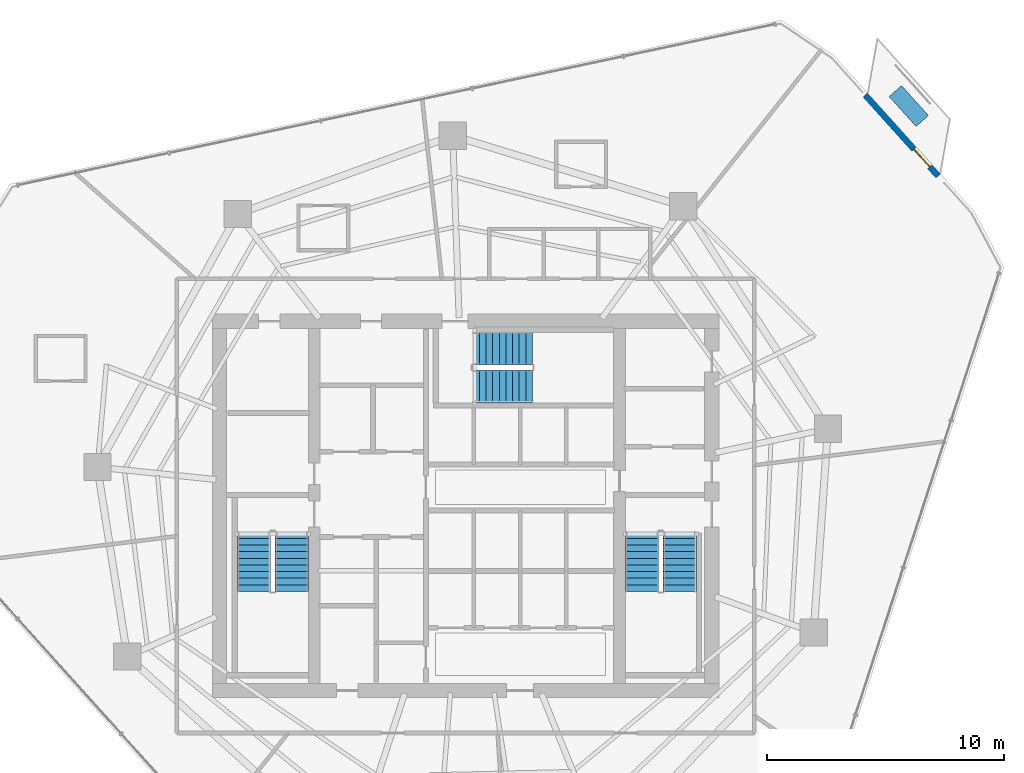
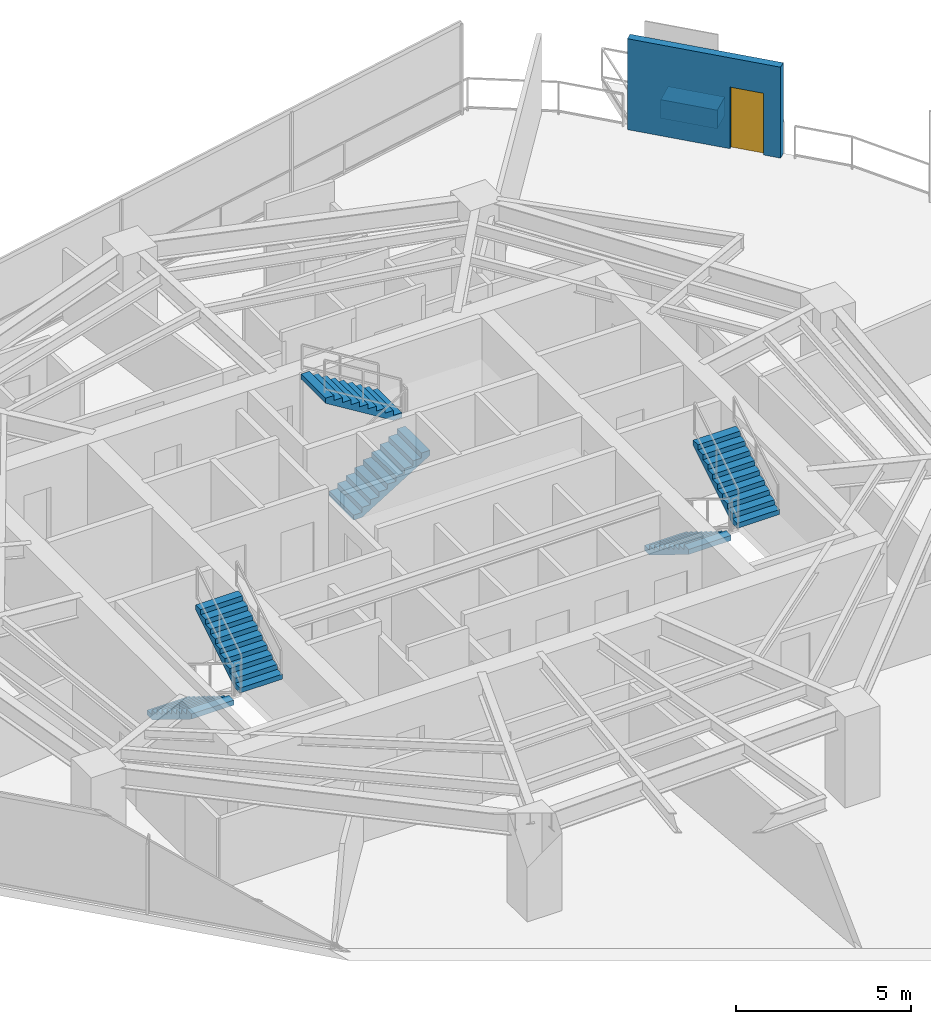
# One storey, part 25 of 27: 6 stair flights, 1 discrete accessory, 1 door, 1 wall, 1 opening, 3 elements without a shape of their own.
"""IFC4 building model written with IfcOpenShell, lengths in metres."""

from ifc_helpers import new_model, si_unit, direction, frame, frame_2d, origin, origin_2d, place, context, subcontext, project, spatial, polyline, rectangle, outline, extrude, material, layer, layer_set, type_object, element, fill, aggregate, save


model = new_model("IFC4")

# Units and contexts
model_context = context("Model", 3, precision=1e-05, world=origin(), true_north=direction((0.0, 1.0)))
body_context = subcontext(model_context, "Body", "Model", "MODEL_VIEW")
ifc_project = project(units=[si_unit("LENGTHUNIT", "METRE"), si_unit("AREAUNIT", "SQUARE_METRE"), si_unit("VOLUMEUNIT", "CUBIC_METRE"), si_unit("PLANEANGLEUNIT", "RADIAN"), si_unit("MASSUNIT", "GRAM", prefix="KILO")], contexts=[model_context])

# Site, building, storey
site_placement = place(None, origin())
site = spatial("IfcSite", under=ifc_project, at=site_placement, CompositionType="ELEMENT")
building_placement = place(site_placement, origin())
building = spatial("IfcBuilding", under=site, at=building_placement, Name="Qarnah Convention Tower", CompositionType="ELEMENT")
storey_placement = place(building_placement, frame((0.0, 0.0, 110.85009765625)))
storey = spatial("IfcBuildingStorey", under=building, at=storey_placement, Name="L29", CompositionType="ELEMENT", Elevation=110.85009765625)

# Wall, opening, door
ifc_material_1 = material(Name="Precast concrete C45/55", Category="concrete")
ifc_layer = layer(ifc_material_1, 0.239990234375)
ifc_layer_set = layer_set([ifc_layer], Name="Precast concrete C45/55")
wall_type = type_object("IfcWallType", Name="WL-EXT-BAL-240", PredefinedType="SOLIDWALL", material=ifc_layer_set)
wall_placement = place(storey_placement, frame((54.0849609375, 43.756103515625, 0.0), z_axis=(0.0, 0.0, 1.0), x_axis=(0.669172901159, -0.743106740889, 0.0)))
wall = element("IfcWall", 1, at=wall_placement, inside=storey, type_object=wall_type, Name="L29 loggia threshold wall BAL-L29-C1", PredefinedType="SOLIDWALL", context=body_context, shape_type="SweptSolid", body=[
    extrude(rectangle(XDim=4.599853515625, YDim=0.239990234375, at=frame_2d((2.2998046875, 0.0))), origin(), (0.0, 0.0, 1.0), 3.169921875),
])
opening_placement = place(wall_placement, frame((3.080078125, 0.0, 0.0)))
opening = element("IfcOpeningElement", 2, at=opening_placement, cuts=wall, Name="Opening BD-2901", PredefinedType="OPENING", context=body_context, shape_type="SweptSolid", body=[
    extrude(rectangle(XDim=1.0, YDim=2.14990234375, at=frame_2d((0.5, 1.074951171875))), frame((0.0, 0.1298828125, 0.0), z_axis=(0.0, -1.0, 0.0), x_axis=(1.0, 0.0, 0.0)), (0.0, 0.0, 1.0), 0.260009765625),
])
ifc_material_2 = material(Name="Black anodised aluminium", Category="aluminium")
door_type = type_object("IfcDoorType", Name="DT-BAL-1000", OperationType="NOTDEFINED", PredefinedType="DOOR", material=ifc_material_2)
door_placement = place(opening_placement, origin())
door = element("IfcDoor", 3, at=door_placement, inside=storey, type_object=door_type, Name="L29 balcony terrace door BAL-L29-C1", OperationType="SINGLE_SWING_RIGHT", OverallHeight=2.14990234375, OverallWidth=1.0, PredefinedType="DOOR", context=body_context, shape_type="SweptSolid", body=[
    extrude(rectangle(XDim=1.0, YDim=2.14990234375, at=frame_2d((0.5, 1.074951171875))), frame((0.0, 0.02490234375, 0.0), z_axis=(0.0, -1.0, 0.0), x_axis=(1.0, 0.0, 0.0)), (0.0, 0.0, 1.0), 0.050048828125),
])
fill(opening, door)

# Stair, stair flights
ifc_material_3 = material(Name="Concrete C50/60", Category="concrete")
stair_type = type_object("IfcStairType", Name="STR-HTL", PredefinedType="HALF_TURN_STAIR", material=ifc_material_3)
stair_1_placement = place(storey_placement, origin())
stair_1 = element("IfcStair", 4, at=stair_1_placement, inside=storey, type_object=stair_type, Name="L29 Core exit stair ST-1", PredefinedType="HALF_TURN_STAIR")
stair_flight_type = type_object("IfcStairFlightType", Name="FLT-HTL", PredefinedType="STRAIGHT", material=ifc_material_3)
stair_flight_1_placement = place(storey_placement, frame((28.25, 25.300048828125, 0.0), z_axis=(0.0, 0.0, 1.0), x_axis=(0.0, -1.0, 0.0)))
stair_flight_1 = element("IfcStairFlight", 5, at=stair_flight_1_placement, type_object=stair_flight_type, Name="ST-1 flight 1", NumberOfRisers=10, NumberOfTreads=9, PredefinedType="STRAIGHT", RiserHeight=0.1725, TreadLength=0.28, context=body_context, shape_type="SweptSolid", body=[
    extrude(outline(polyline([(0.0, 0.0), (0.0, 0.172607421875), (0.280029296875, 0.172607421875), (0.280029296875, 0.344970703125), (0.56005859375, 0.344970703125), (0.56005859375, 0.517578125), (0.840087890625, 0.517578125), (0.840087890625, 0.68994140625), (1.1201171875, 0.68994140625), (1.1201171875, 0.862548828125), (1.39990234375, 0.862548828125), (1.39990234375, 1.034912109375), (1.679931640625, 1.034912109375), (1.679931640625, 1.20751953125), (1.9599609375, 1.20751953125), (1.9599609375, 1.3798828125), (2.239990234375, 1.3798828125), (2.239990234375, 1.552490234375), (2.52001953125, 1.552490234375), (2.52001953125, 1.72509765625), (2.52001953125, 1.37646484375), (0.285888671875, 0.0), (0.0, 0.0)])), frame((0.0, 0.699951171875, 0.0), z_axis=(0.0, -1.0, 0.0), x_axis=(1.0, 0.0, 0.0)), (0.0, 0.0, 1.0), 1.39990234375),
])
stair_flight_2_placement = place(storey_placement, frame((29.85009765625, 22.780029296875, 1.724853515625), z_axis=(0.0, 0.0, 1.0), x_axis=(0.0, 1.0, 0.0)))
stair_flight_2 = element("IfcStairFlight", 6, at=stair_flight_2_placement, type_object=stair_flight_type, Name="ST-1 flight 2", NumberOfRisers=10, NumberOfTreads=9, PredefinedType="STRAIGHT", RiserHeight=0.1725, TreadLength=0.28, context=body_context, shape_type="SweptSolid", body=[
    extrude(outline(polyline([(0.0, 0.0), (0.0, 0.172607421875), (0.280029296875, 0.172607421875), (0.280029296875, 0.344970703125), (0.56005859375, 0.344970703125), (0.56005859375, 0.517578125), (0.840087890625, 0.517578125), (0.840087890625, 0.68994140625), (1.1201171875, 0.68994140625), (1.1201171875, 0.862548828125), (1.39990234375, 0.862548828125), (1.39990234375, 1.034912109375), (1.679931640625, 1.034912109375), (1.679931640625, 1.20751953125), (1.9599609375, 1.20751953125), (1.9599609375, 1.3798828125), (2.239990234375, 1.3798828125), (2.239990234375, 1.552490234375), (2.52001953125, 1.552490234375), (2.52001953125, 1.72509765625), (2.52001953125, 1.37646484375), (0.285888671875, 0.0), (0.0, 0.0)])), frame((0.0, 0.699951171875, 0.0), z_axis=(0.0, -1.0, 0.0), x_axis=(1.0, 0.0, 0.0)), (0.0, 0.0, 1.0), 1.39990234375),
])
aggregate(stair_1, [stair_flight_1, stair_flight_2])

stair_2_placement = place(storey_placement, origin())
stair_2 = element("IfcStair", 7, at=stair_2_placement, inside=storey, type_object=stair_type, Name="L29 Core exit stair ST-2", PredefinedType="HALF_TURN_STAIR")
stair_flight_3_placement = place(storey_placement, frame((44.64990234375, 25.300048828125, 0.0), z_axis=(0.0, 0.0, 1.0), x_axis=(0.0, -1.0, 0.0)))
stair_flight_3 = element("IfcStairFlight", 8, at=stair_flight_3_placement, type_object=stair_flight_type, Name="ST-2 flight 1", NumberOfRisers=10, NumberOfTreads=9, PredefinedType="STRAIGHT", RiserHeight=0.1725, TreadLength=0.28, context=body_context, shape_type="SweptSolid", body=[
    extrude(outline(polyline([(0.0, 0.0), (0.0, 0.172607421875), (0.280029296875, 0.172607421875), (0.280029296875, 0.344970703125), (0.56005859375, 0.344970703125), (0.56005859375, 0.517578125), (0.840087890625, 0.517578125), (0.840087890625, 0.68994140625), (1.1201171875, 0.68994140625), (1.1201171875, 0.862548828125), (1.39990234375, 0.862548828125), (1.39990234375, 1.034912109375), (1.679931640625, 1.034912109375), (1.679931640625, 1.20751953125), (1.9599609375, 1.20751953125), (1.9599609375, 1.3798828125), (2.239990234375, 1.3798828125), (2.239990234375, 1.552490234375), (2.52001953125, 1.552490234375), (2.52001953125, 1.72509765625), (2.52001953125, 1.37646484375), (0.285888671875, 0.0), (0.0, 0.0)])), frame((0.0, 0.699951171875, 0.0), z_axis=(0.0, -1.0, 0.0), x_axis=(1.0, 0.0, 0.0)), (0.0, 0.0, 1.0), 1.39990234375),
])
stair_flight_4_placement = place(storey_placement, frame((46.25, 22.780029296875, 1.724853515625), z_axis=(0.0, 0.0, 1.0), x_axis=(0.0, 1.0, 0.0)))
stair_flight_4 = element("IfcStairFlight", 9, at=stair_flight_4_placement, type_object=stair_flight_type, Name="ST-2 flight 2", NumberOfRisers=10, NumberOfTreads=9, PredefinedType="STRAIGHT", RiserHeight=0.1725, TreadLength=0.28, context=body_context, shape_type="SweptSolid", body=[
    extrude(outline(polyline([(0.0, 0.0), (0.0, 0.172607421875), (0.280029296875, 0.172607421875), (0.280029296875, 0.344970703125), (0.56005859375, 0.344970703125), (0.56005859375, 0.517578125), (0.840087890625, 0.517578125), (0.840087890625, 0.68994140625), (1.1201171875, 0.68994140625), (1.1201171875, 0.862548828125), (1.39990234375, 0.862548828125), (1.39990234375, 1.034912109375), (1.679931640625, 1.034912109375), (1.679931640625, 1.20751953125), (1.9599609375, 1.20751953125), (1.9599609375, 1.3798828125), (2.239990234375, 1.3798828125), (2.239990234375, 1.552490234375), (2.52001953125, 1.552490234375), (2.52001953125, 1.72509765625), (2.52001953125, 1.37646484375), (0.285888671875, 0.0), (0.0, 0.0)])), frame((0.0, 0.699951171875, 0.0), z_axis=(0.0, -1.0, 0.0), x_axis=(1.0, 0.0, 0.0)), (0.0, 0.0, 1.0), 1.39990234375),
])
aggregate(stair_2, [stair_flight_3, stair_flight_4])

stair_3_placement = place(storey_placement, origin())
stair_3 = element("IfcStair", 10, at=stair_3_placement, inside=storey, type_object=stair_type, Name="L29 Core exit stair ST-3", PredefinedType="HALF_TURN_STAIR")
stair_flight_5_placement = place(storey_placement, frame((37.5, 31.449951171875, 0.0), z_axis=(0.0, 0.0, 1.0), x_axis=(1.0, 0.0, 0.0)))
stair_flight_5 = element("IfcStairFlight", 11, at=stair_flight_5_placement, type_object=stair_flight_type, Name="ST-3 flight 1", NumberOfRisers=10, NumberOfTreads=9, PredefinedType="STRAIGHT", RiserHeight=0.1725, TreadLength=0.28, context=body_context, shape_type="SweptSolid", body=[
    extrude(outline(polyline([(0.0, 0.0), (0.0, 0.172607421875), (0.280029296875, 0.172607421875), (0.280029296875, 0.344970703125), (0.56005859375, 0.344970703125), (0.56005859375, 0.517578125), (0.840087890625, 0.517578125), (0.840087890625, 0.68994140625), (1.1201171875, 0.68994140625), (1.1201171875, 0.862548828125), (1.39990234375, 0.862548828125), (1.39990234375, 1.034912109375), (1.679931640625, 1.034912109375), (1.679931640625, 1.20751953125), (1.9599609375, 1.20751953125), (1.9599609375, 1.3798828125), (2.239990234375, 1.3798828125), (2.239990234375, 1.552490234375), (2.52001953125, 1.552490234375), (2.52001953125, 1.72509765625), (2.52001953125, 1.37646484375), (0.285888671875, 0.0), (0.0, 0.0)])), frame((0.0, 0.699951171875, 0.0), z_axis=(0.0, -1.0, 0.0), x_axis=(1.0, 0.0, 0.0)), (0.0, 0.0, 1.0), 1.39990234375),
])
stair_flight_6_placement = place(storey_placement, frame((40.02001953125, 33.050048828125, 1.724853515625), z_axis=(0.0, 0.0, 1.0), x_axis=(-1.0, 0.0, 0.0)))
stair_flight_6 = element("IfcStairFlight", 12, at=stair_flight_6_placement, type_object=stair_flight_type, Name="ST-3 flight 2", NumberOfRisers=10, NumberOfTreads=9, PredefinedType="STRAIGHT", RiserHeight=0.1725, TreadLength=0.28, context=body_context, shape_type="SweptSolid", body=[
    extrude(outline(polyline([(0.0, 0.0), (0.0, 0.172607421875), (0.280029296875, 0.172607421875), (0.280029296875, 0.344970703125), (0.56005859375, 0.344970703125), (0.56005859375, 0.517578125), (0.840087890625, 0.517578125), (0.840087890625, 0.68994140625), (1.1201171875, 0.68994140625), (1.1201171875, 0.862548828125), (1.39990234375, 0.862548828125), (1.39990234375, 1.034912109375), (1.679931640625, 1.034912109375), (1.679931640625, 1.20751953125), (1.9599609375, 1.20751953125), (1.9599609375, 1.3798828125), (2.239990234375, 1.3798828125), (2.239990234375, 1.552490234375), (2.52001953125, 1.552490234375), (2.52001953125, 1.72509765625), (2.52001953125, 1.37646484375), (0.285888671875, 0.0), (0.0, 0.0)])), frame((0.0, 0.699951171875, 0.0), z_axis=(0.0, -1.0, 0.0), x_axis=(1.0, 0.0, 0.0)), (0.0, 0.0, 1.0), 1.39990234375),
])
aggregate(stair_3, [stair_flight_5, stair_flight_6])

# Discrete accessory
discrete_accessory_type = type_object("IfcDiscreteAccessoryType", Name="ACC-PLANTER-900", PredefinedType="USERDEFINED", material=ifc_material_1)
discrete_accessory_placement = place(storey_placement, frame((55.927978515625, 43.29296875, 0.0), z_axis=(0.0, 0.0, 1.0), x_axis=(-0.669130606359, 0.743144825477, 0.0)))
element("IfcDiscreteAccessory", 13, at=discrete_accessory_placement, inside=storey, type_object=discrete_accessory_type, Name="L29 irrigated desert balcony PLANTER BAL-L29-C1", ObjectType="PLANTER", PredefinedType="USERDEFINED", context=body_context, shape_type="SweptSolid", body=[
    extrude(rectangle(XDim=1.699951171875, YDim=0.699951171875, at=origin_2d()), origin(), (0.0, 0.0, 1.0), 0.64990234375),
])

save(model, "model.ifc")
